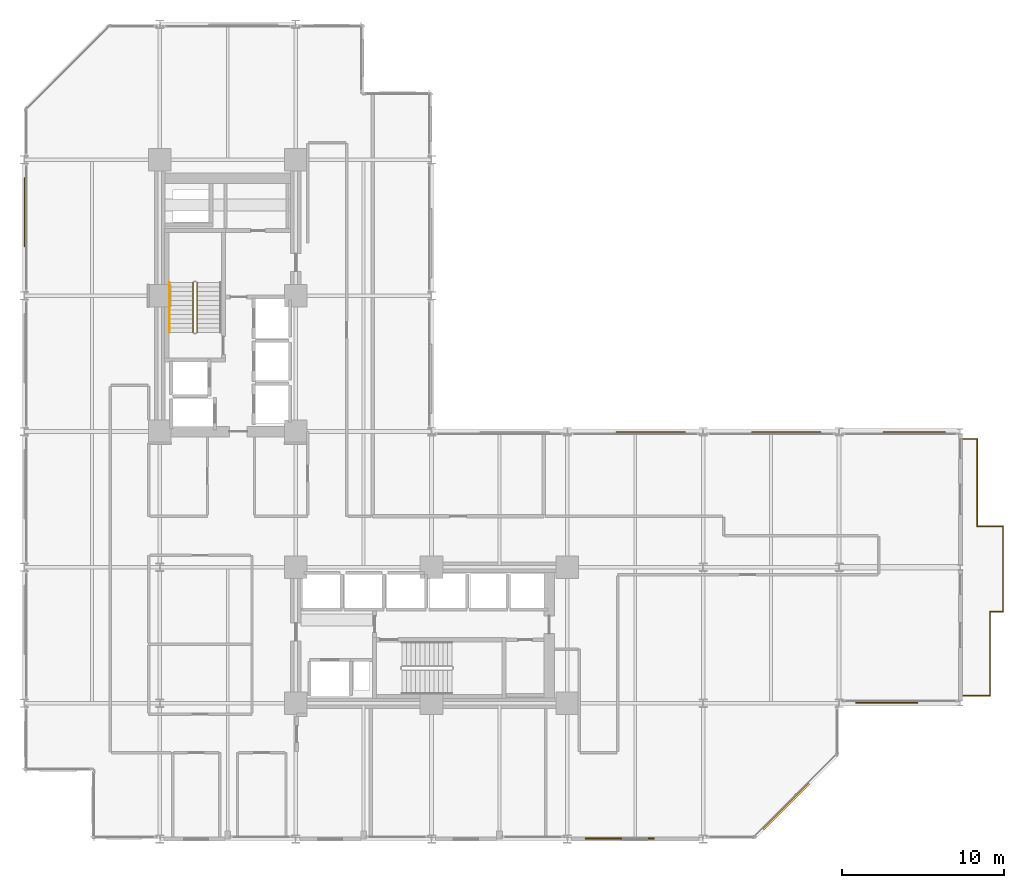
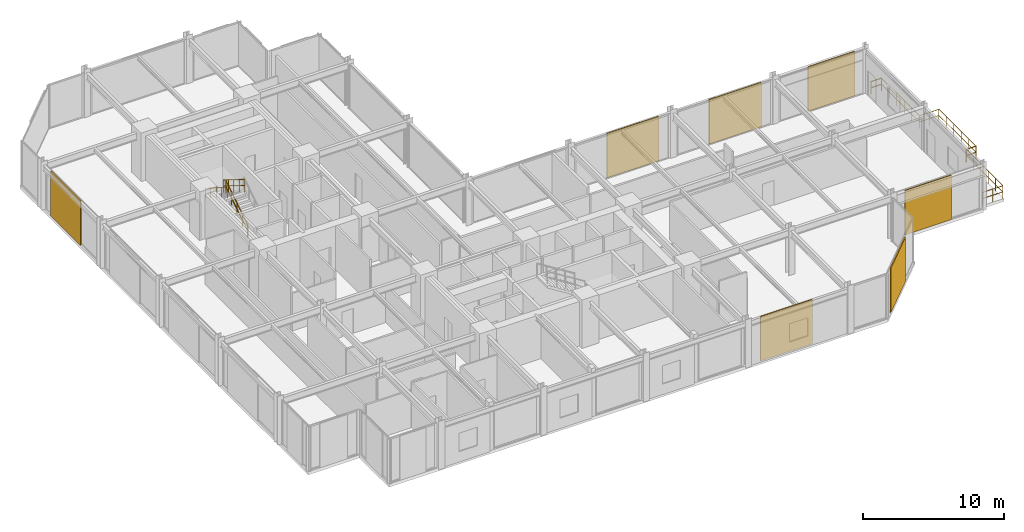
# One storey, part 25 of 26: 10 railings, 7 coverings.
"""IFC4 building model written with IfcOpenShell, lengths in metres."""

from ifc_helpers import new_model, si_unit, direction, frame, origin, origin_2d, place, context, subcontext, project, spatial, rectangle, circle, extrude, material, layer, layer_set, type_object, element, save


model = new_model("IFC4")

# Units and contexts
model_context = context("Model", 3, precision=1e-05, world=origin(), true_north=direction((0.0, 1.0)))
body_context = subcontext(model_context, "Body", "Model", "MODEL_VIEW")
ifc_project = project(units=[si_unit("LENGTHUNIT", "METRE"), si_unit("AREAUNIT", "SQUARE_METRE"), si_unit("VOLUMEUNIT", "CUBIC_METRE"), si_unit("PLANEANGLEUNIT", "RADIAN"), si_unit("MASSUNIT", "GRAM", prefix="KILO")], contexts=[model_context])

# Site, building, storey
site_placement = place(None, origin())
site = spatial("IfcSite", under=ifc_project, at=site_placement, CompositionType="ELEMENT")
building_placement = place(site_placement, origin())
building = spatial("IfcBuilding", under=site, at=building_placement, Name="Nerrivon Quay Data Exchange", CompositionType="ELEMENT")
storey_placement = place(building_placement, frame((0.0, 0.0, 75.199951171875)))
storey = spatial("IfcBuildingStorey", under=building, at=storey_placement, Name="L17", CompositionType="ELEMENT", Elevation=75.199951171875)

# Coverings
ifc_material_1 = material(Name="Architectural terracotta ceramic", Category="masonry")
ifc_layer = layer(ifc_material_1, 0.090087890625)
ifc_layer_set = layer_set([ifc_layer], Name="Architectural terracotta ceramic")
covering_type = type_object("IfcCoveringType", Name="COV-SCR-TERR", PredefinedType="CLADDING", material=ifc_layer_set)
covering_1_placement = place(storey_placement, frame((53.345947265625, 8.445068359375, 0.0), z_axis=(0.0, 0.0, 1.0), x_axis=(-1.0, 0.0, 0.0)))
element("IfcCovering", 1, at=covering_1_placement, inside=storey, type_object=covering_type, Name="L17 Perforated Terracotta SOLAR SCREEN Cassette", PredefinedType="CLADDING", context=body_context, shape_type="SweptSolid", body=[
    extrude(rectangle(XDim=3.8310546875, YDim=0.090087890625, at=origin_2d()), origin(), (0.0, 0.0, 1.0), 3.85009765625),
])
covering_2_placement = place(storey_placement, frame((47.144287109375, 2.0078125, 0.0), z_axis=(0.0, 0.0, 1.0), x_axis=(-0.707106781187, -0.707106781187, 0.0)))
element("IfcCovering", 2, at=covering_2_placement, inside=storey, type_object=covering_type, Name="L17 Perforated Terracotta SOLAR SCREEN Cassette", PredefinedType="CLADDING", context=body_context, shape_type="SweptSolid", body=[
    extrude(rectangle(XDim=3.970947265625, YDim=0.090087890625, at=origin_2d()), origin(), (0.0, 0.0, 1.0), 3.85009765625),
])
for number, where, z_axis, x_axis, name in (
    (3, (36.85205078125, 0.044921875, 0.0), (0.0, 0.0, 1.0), (-1.0, 0.0, 0.0), "L17 Perforated Terracotta SOLAR SCREEN Cassette"),
    (4, (0.044921875, 38.748046875, 0.0), (0.0, 0.0, 1.0), (0.0, 1.0, 0.0), "L17 Perforated Terracotta SOLAR SCREEN Cassette"),
    (5, (38.748046875, 25.155029296875, 0.0), (0.0, 0.0, 1.0), (1.0, 0.0, 0.0), "L17 Perforated Terracotta SOLAR SCREEN Cassette"),
    (6, (47.14794921875, 25.155029296875, 0.0), (0.0, 0.0, 1.0), (1.0, 0.0, 0.0), "L17 Perforated Terracotta SOLAR SCREEN Cassette"),
):
    element("IfcCovering", number, at=place(storey_placement, frame(where, z_axis=z_axis, x_axis=x_axis)), inside=storey, type_object=covering_type, Name=name, PredefinedType="CLADDING", context=body_context, shape_type="SweptSolid", body=[
        extrude(rectangle(XDim=4.26611328125, YDim=0.090087890625, at=origin_2d()), origin(), (0.0, 0.0, 1.0), 3.85009765625),
    ])
covering_3_placement = place(storey_placement, frame((55.048583984375, 25.155029296875, 0.0), z_axis=(0.0, 0.0, 1.0), x_axis=(1.0, 0.0, 0.0)))
element("IfcCovering", 7, at=covering_3_placement, inside=storey, type_object=covering_type, Name="L17 Perforated Terracotta SOLAR SCREEN Cassette", PredefinedType="CLADDING", context=body_context, shape_type="SweptSolid", body=[
    extrude(rectangle(XDim=3.8310546875, YDim=0.090087890625, at=origin_2d()), origin(), (0.0, 0.0, 1.0), 3.85009765625),
])

# Railings
ifc_material_2 = material(Name="Steel Grade C350L0 (350 MPa)", Category="steel")
railing_type_1 = type_object("IfcRailingType", Name="RAIL-GUARD-GR2", PredefinedType="BALUSTRADE", material=ifc_material_2)
railing_1_placement = place(storey_placement, frame((59.739990234375, 14.06005859375, 0.0)))
element("IfcRailing", 8, at=railing_1_placement, inside=storey, type_object=railing_type_1, Name="L17 Verandah Balcony Guard 1.1 1", PredefinedType="BALUSTRADE", context=body_context, shape_type="SweptSolid", body=[
    extrude(circle(Radius=0.02392578125, at=origin_2d()), frame((0.0, 0.0, 1.09619140625), z_axis=(0.0, -1.0, 0.0), x_axis=(1.0, 0.0, 0.0)), (0.0, 0.0, 1.0), 5.199951171875),
    extrude(circle(Radius=0.02392578125, at=origin_2d()), frame((0.0, 0.0, 0.56005859375), z_axis=(0.0, -1.0, 0.0), x_axis=(1.0, 0.0, 0.0)), (0.0, 0.0, 1.0), 5.199951171875),
    extrude(circle(Radius=0.02099609375, at=origin_2d()), origin(), (0.0, 0.0, 1.0), 1.072021484375),
    extrude(circle(Radius=0.02099609375, at=origin_2d()), frame((0.0, -1.0400390625, 0.0)), (0.0, 0.0, 1.0), 1.072021484375),
    extrude(circle(Radius=0.02099609375, at=origin_2d()), frame((0.0, -2.080078125, 0.0)), (0.0, 0.0, 1.0), 1.072021484375),
    extrude(circle(Radius=0.02099609375, at=origin_2d()), frame((0.0, -3.119873046875, 0.0)), (0.0, 0.0, 1.0), 1.072021484375),
    extrude(circle(Radius=0.02099609375, at=origin_2d()), frame((0.0, -4.159912109375, 0.0)), (0.0, 0.0, 1.0), 1.072021484375),
    extrude(circle(Radius=0.02099609375, at=origin_2d()), frame((0.0, -5.199951171875, 0.0)), (0.0, 0.0, 1.0), 1.072021484375),
])
railing_2_placement = place(storey_placement, frame((59.739990234375, 8.860107421875, 0.0)))
element("IfcRailing", 9, at=railing_2_placement, inside=storey, type_object=railing_type_1, Name="L17 Verandah Balcony Guard 1.2 1", PredefinedType="BALUSTRADE", context=body_context, shape_type="SweptSolid", body=[
    extrude(circle(Radius=0.02392578125, at=origin_2d()), frame((0.0, 0.0, 1.09619140625), z_axis=(-1.0, 0.0, 0.0), x_axis=(0.0, -1.0, 0.0)), (0.0, 0.0, 1.0), 1.659912109375),
    extrude(circle(Radius=0.02392578125, at=origin_2d()), frame((0.0, 0.0, 0.56005859375), z_axis=(-1.0, 0.0, 0.0), x_axis=(0.0, -1.0, 0.0)), (0.0, 0.0, 1.0), 1.659912109375),
    extrude(circle(Radius=0.02099609375, at=origin_2d()), origin(), (0.0, 0.0, 1.0), 1.072021484375),
    extrude(circle(Radius=0.02099609375, at=origin_2d()), frame((-0.830078125, 0.0, 0.0)), (0.0, 0.0, 1.0), 1.072021484375),
    extrude(circle(Radius=0.02099609375, at=origin_2d()), frame((-1.659912109375, 0.0, 0.0)), (0.0, 0.0, 1.0), 1.072021484375),
])
railing_3_placement = place(storey_placement, frame((58.080078125, 24.739990234375, 0.0)))
element("IfcRailing", 10, at=railing_3_placement, inside=storey, type_object=railing_type_1, Name="L17 Verandah Balcony Guard 1.3 1", PredefinedType="BALUSTRADE", context=body_context, shape_type="SweptSolid", body=[
    extrude(circle(Radius=0.02392578125, at=origin_2d()), frame((0.0, 0.0, 1.09619140625), z_axis=(1.0, 0.0, 0.0), x_axis=(0.0, 1.0, 0.0)), (0.0, 0.0, 1.0), 0.85986328125),
    extrude(circle(Radius=0.02392578125, at=origin_2d()), frame((0.0, 0.0, 0.56005859375), z_axis=(1.0, 0.0, 0.0), x_axis=(0.0, 1.0, 0.0)), (0.0, 0.0, 1.0), 0.85986328125),
    extrude(circle(Radius=0.02099609375, at=origin_2d()), origin(), (0.0, 0.0, 1.0), 1.072021484375),
    extrude(circle(Radius=0.02099609375, at=origin_2d()), frame((0.85986328125, 0.0, 0.0)), (0.0, 0.0, 1.0), 1.072021484375),
])
railing_4_placement = place(storey_placement, frame((58.93994140625, 24.739990234375, 0.0)))
element("IfcRailing", 11, at=railing_4_placement, inside=storey, type_object=railing_type_1, Name="L17 Verandah Balcony Guard 1.4 1", PredefinedType="BALUSTRADE", context=body_context, shape_type="SweptSolid", body=[
    extrude(circle(Radius=0.02392578125, at=origin_2d()), frame((0.0, 0.0, 1.09619140625), z_axis=(0.0, -1.0, 0.0), x_axis=(1.0, 0.0, 0.0)), (0.0, 0.0, 1.0), 5.39990234375),
    extrude(circle(Radius=0.02392578125, at=origin_2d()), frame((0.0, 0.0, 0.56005859375), z_axis=(0.0, -1.0, 0.0), x_axis=(1.0, 0.0, 0.0)), (0.0, 0.0, 1.0), 5.39990234375),
    extrude(circle(Radius=0.02099609375, at=origin_2d()), origin(), (0.0, 0.0, 1.0), 1.072021484375),
    extrude(circle(Radius=0.02099609375, at=origin_2d()), frame((0.0, -1.080078125, 0.0)), (0.0, 0.0, 1.0), 1.072021484375),
    extrude(circle(Radius=0.02099609375, at=origin_2d()), frame((0.0, -2.159912109375, 0.0)), (0.0, 0.0, 1.0), 1.072021484375),
    extrude(circle(Radius=0.02099609375, at=origin_2d()), frame((0.0, -3.239990234375, 0.0)), (0.0, 0.0, 1.0), 1.072021484375),
    extrude(circle(Radius=0.02099609375, at=origin_2d()), frame((0.0, -4.31982421875, 0.0)), (0.0, 0.0, 1.0), 1.072021484375),
    extrude(circle(Radius=0.02099609375, at=origin_2d()), frame((0.0, -5.39990234375, 0.0)), (0.0, 0.0, 1.0), 1.072021484375),
])
railing_5_placement = place(storey_placement, frame((58.93994140625, 19.340087890625, 0.0)))
element("IfcRailing", 12, at=railing_5_placement, inside=storey, type_object=railing_type_1, Name="L17 Verandah Balcony Guard 1.5 1", PredefinedType="BALUSTRADE", context=body_context, shape_type="SweptSolid", body=[
    extrude(circle(Radius=0.02392578125, at=origin_2d()), frame((0.0, 0.0, 1.09619140625), z_axis=(1.0, 0.0, 0.0), x_axis=(0.0, 1.0, 0.0)), (0.0, 0.0, 1.0), 1.60009765625),
    extrude(circle(Radius=0.02392578125, at=origin_2d()), frame((0.0, 0.0, 0.56005859375), z_axis=(1.0, 0.0, 0.0), x_axis=(0.0, 1.0, 0.0)), (0.0, 0.0, 1.0), 1.60009765625),
    extrude(circle(Radius=0.02099609375, at=origin_2d()), origin(), (0.0, 0.0, 1.0), 1.072021484375),
    extrude(circle(Radius=0.02099609375, at=origin_2d()), frame((0.800048828125, 0.0, 0.0)), (0.0, 0.0, 1.0), 1.072021484375),
    extrude(circle(Radius=0.02099609375, at=origin_2d()), frame((1.60009765625, 0.0, 0.0)), (0.0, 0.0, 1.0), 1.072021484375),
])
railing_6_placement = place(storey_placement, frame((60.5400390625, 19.340087890625, 0.0)))
element("IfcRailing", 13, at=railing_6_placement, inside=storey, type_object=railing_type_1, Name="L17 Verandah Balcony Guard 1.6 1", PredefinedType="BALUSTRADE", context=body_context, shape_type="SweptSolid", body=[
    extrude(circle(Radius=0.02392578125, at=origin_2d()), frame((0.0, 0.0, 1.09619140625), z_axis=(0.0, -1.0, 0.0), x_axis=(1.0, 0.0, 0.0)), (0.0, 0.0, 1.0), 5.280029296875),
    extrude(circle(Radius=0.02392578125, at=origin_2d()), frame((0.0, 0.0, 0.56005859375), z_axis=(0.0, -1.0, 0.0), x_axis=(1.0, 0.0, 0.0)), (0.0, 0.0, 1.0), 5.280029296875),
    extrude(circle(Radius=0.02099609375, at=origin_2d()), origin(), (0.0, 0.0, 1.0), 1.072021484375),
    extrude(circle(Radius=0.02099609375, at=origin_2d()), frame((0.0, -1.055908203125, 0.0)), (0.0, 0.0, 1.0), 1.072021484375),
    extrude(circle(Radius=0.02099609375, at=origin_2d()), frame((0.0, -2.112060546875, 0.0)), (0.0, 0.0, 1.0), 1.072021484375),
    extrude(circle(Radius=0.02099609375, at=origin_2d()), frame((0.0, -3.16796875, 0.0)), (0.0, 0.0, 1.0), 1.072021484375),
    extrude(circle(Radius=0.02099609375, at=origin_2d()), frame((0.0, -4.22412109375, 0.0)), (0.0, 0.0, 1.0), 1.072021484375),
    extrude(circle(Radius=0.02099609375, at=origin_2d()), frame((0.0, -5.280029296875, 0.0)), (0.0, 0.0, 1.0), 1.072021484375),
])
railing_7_placement = place(storey_placement, frame((60.5400390625, 14.06005859375, 0.0)))
element("IfcRailing", 14, at=railing_7_placement, inside=storey, type_object=railing_type_1, Name="L17 Verandah Balcony Guard 1.7 1", PredefinedType="BALUSTRADE", context=body_context, shape_type="SweptSolid", body=[
    extrude(circle(Radius=0.02392578125, at=origin_2d()), frame((0.0, 0.0, 1.09619140625), z_axis=(-1.0, 0.0, 0.0), x_axis=(0.0, -1.0, 0.0)), (0.0, 0.0, 1.0), 0.800048828125),
    extrude(circle(Radius=0.02392578125, at=origin_2d()), frame((0.0, 0.0, 0.56005859375), z_axis=(-1.0, 0.0, 0.0), x_axis=(0.0, -1.0, 0.0)), (0.0, 0.0, 1.0), 0.800048828125),
    extrude(circle(Radius=0.02099609375, at=origin_2d()), origin(), (0.0, 0.0, 1.0), 1.072021484375),
    extrude(circle(Radius=0.02099609375, at=origin_2d()), frame((-0.800048828125, 0.0, 0.0)), (0.0, 0.0, 1.0), 1.072021484375),
])
railing_type_2 = type_object("IfcRailingType", Name="RAIL-HAND-HR1", PredefinedType="HANDRAIL", material=ifc_material_2)
railing_8_placement = place(storey_placement, frame((9.0, 34.409912109375, 2.275146484375)))
element("IfcRailing", 15, at=railing_8_placement, inside=storey, type_object=railing_type_2, Name="L17 ST01 stair handrail 2", PredefinedType="HANDRAIL", context=body_context, shape_type="SweptSolid", body=[
    extrude(circle(Radius=0.02392578125, at=origin_2d()), frame((0.0, 0.0, 0.8759765625), z_axis=(0.0, -0.848009633417, 0.529980812513), x_axis=(1.0, 0.0, 0.0)), (0.0, 0.0, 1.0), 3.6318359375),
    extrude(circle(Radius=0.02099609375, at=origin_2d()), origin(), (0.0, 0.0, 1.0), 0.851806640625),
    extrude(circle(Radius=0.02099609375, at=origin_2d()), frame((0.0, -0.77001953125, 0.481201171875)), (0.0, 0.0, 1.0), 0.851806640625),
    extrude(circle(Radius=0.02099609375, at=origin_2d()), frame((0.0, -1.5400390625, 0.96240234375)), (0.0, 0.0, 1.0), 0.851806640625),
    extrude(circle(Radius=0.02099609375, at=origin_2d()), frame((0.0, -2.309814453125, 1.443603515625)), (0.0, 0.0, 1.0), 0.851806640625),
    extrude(circle(Radius=0.02099609375, at=origin_2d()), frame((0.0, -3.079833984375, 1.9248046875)), (0.0, 0.0, 1.0), 0.851806640625),
])
railing_type_3 = type_object("IfcRailingType", Name="RAIL-STAIR-GR1", PredefinedType="BALUSTRADE", material=ifc_material_2)
railing_9_placement = place(storey_placement, frame((10.699951171875, 31.330078125, 0.175048828125)))
element("IfcRailing", 16, at=railing_9_placement, inside=storey, type_object=railing_type_3, Name="L17 ST01 stair guard 1", PredefinedType="BALUSTRADE", context=body_context, shape_type="SweptSolid", body=[
    extrude(circle(Radius=0.02392578125, at=origin_2d()), frame((0.0, 0.0, 1.076171875), z_axis=(0.0, 0.847979421464, 0.530029150871), x_axis=(-1.0, 0.0, 0.0)), (0.0, 0.0, 1.0), 3.632080078125),
    extrude(circle(Radius=0.02392578125, at=origin_2d()), frame((0.0, 0.0, 0.550048828125), z_axis=(0.0, 0.847979421464, 0.530029150871), x_axis=(-1.0, 0.0, 0.0)), (0.0, 0.0, 1.0), 3.632080078125),
    extrude(circle(Radius=0.02099609375, at=origin_2d()), origin(), (0.0, 0.0, 1.0), 1.052001953125),
    extrude(circle(Radius=0.02099609375, at=origin_2d()), frame((0.0, 0.77001953125, 0.481201171875)), (0.0, 0.0, 1.0), 1.052001953125),
    extrude(circle(Radius=0.02099609375, at=origin_2d()), frame((0.0, 1.5400390625, 0.96240234375)), (0.0, 0.0, 1.0), 1.052001953125),
    extrude(circle(Radius=0.02099609375, at=origin_2d()), frame((0.0, 2.309814453125, 1.44384765625)), (0.0, 0.0, 1.0), 1.052001953125),
    extrude(circle(Radius=0.02099609375, at=origin_2d()), frame((0.0, 3.079833984375, 1.925048828125)), (0.0, 0.0, 1.0), 1.052001953125),
])
railing_10_placement = place(storey_placement, frame((10.449951171875, 34.409912109375, 2.275146484375)))
element("IfcRailing", 17, at=railing_10_placement, inside=storey, type_object=railing_type_3, Name="L17 ST01 stair guard 3", PredefinedType="BALUSTRADE", context=body_context, shape_type="SweptSolid", body=[
    extrude(circle(Radius=0.02392578125, at=origin_2d()), frame((0.0, 0.0, 1.076171875), z_axis=(0.0, -0.848009633417, 0.529980812513), x_axis=(1.0, 0.0, 0.0)), (0.0, 0.0, 1.0), 3.6318359375),
    extrude(circle(Radius=0.02392578125, at=origin_2d()), frame((0.0, 0.0, 0.550048828125), z_axis=(0.0, -0.848009633417, 0.529980812513), x_axis=(1.0, 0.0, 0.0)), (0.0, 0.0, 1.0), 3.6318359375),
    extrude(circle(Radius=0.02099609375, at=origin_2d()), origin(), (0.0, 0.0, 1.0), 1.052001953125),
    extrude(circle(Radius=0.02099609375, at=origin_2d()), frame((0.0, -0.77001953125, 0.481201171875)), (0.0, 0.0, 1.0), 1.052001953125),
    extrude(circle(Radius=0.02099609375, at=origin_2d()), frame((0.0, -1.5400390625, 0.96240234375)), (0.0, 0.0, 1.0), 1.052001953125),
    extrude(circle(Radius=0.02099609375, at=origin_2d()), frame((0.0, -2.309814453125, 1.443603515625)), (0.0, 0.0, 1.0), 1.052001953125),
    extrude(circle(Radius=0.02099609375, at=origin_2d()), frame((0.0, -3.079833984375, 1.9248046875)), (0.0, 0.0, 1.0), 1.052001953125),
])

save(model, "model.ifc")
